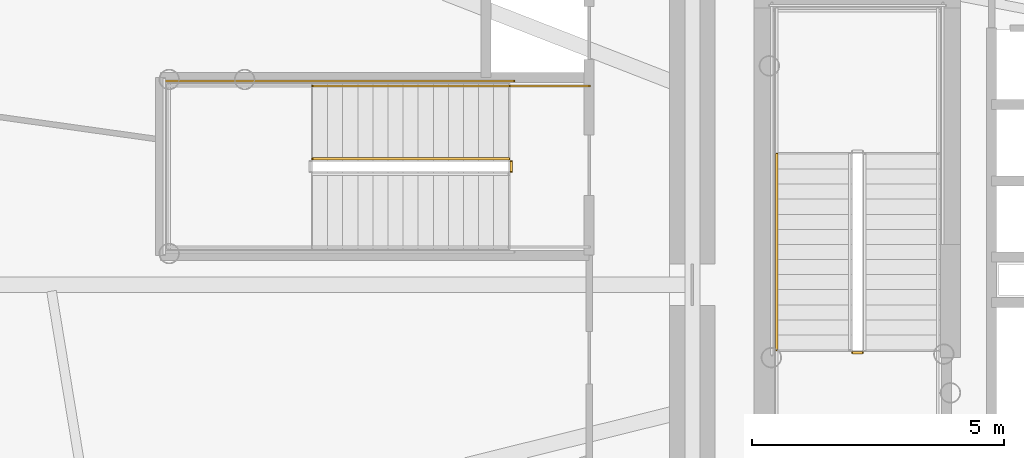
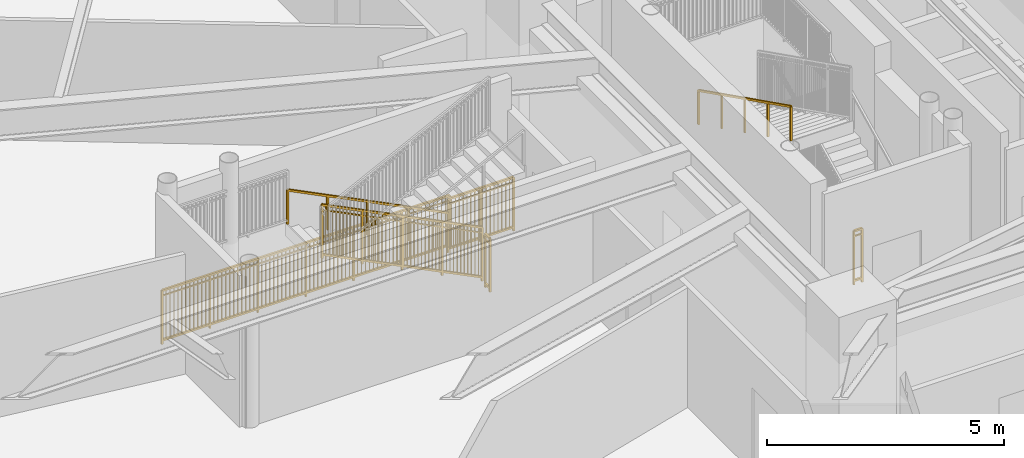
# One storey, part 20 of 27: 7 railings.
"""IFC4 building model written with IfcOpenShell, lengths in metres."""

from ifc_helpers import new_model, si_unit, direction, frame, origin, origin_2d, place, context, subcontext, project, spatial, rectangle, extrude, source, transform, mapped, material, type_object, element, save


model = new_model("IFC4")

# Units and contexts
model_context = context("Model", 3, precision=1e-05, world=origin(), true_north=direction((0.0, 1.0)))
body_context = subcontext(model_context, "Body", "Model", "MODEL_VIEW")
ifc_project = project(units=[si_unit("LENGTHUNIT", "METRE"), si_unit("AREAUNIT", "SQUARE_METRE"), si_unit("VOLUMEUNIT", "CUBIC_METRE"), si_unit("PLANEANGLEUNIT", "RADIAN"), si_unit("MASSUNIT", "GRAM", prefix="KILO")], contexts=[model_context])

# Site, building, storey
site_placement = place(None, origin())
site = spatial("IfcSite", under=ifc_project, at=site_placement, CompositionType="ELEMENT")
building_placement = place(site_placement, origin())
building = spatial("IfcBuilding", under=site, at=building_placement, Name="Linh Dai School and Residence Tower", CompositionType="ELEMENT")
storey_placement = place(building_placement, frame((0.0, 0.0, 14.39990234375)))
storey = spatial("IfcBuildingStorey", under=building, at=storey_placement, Name="L03", CompositionType="ELEMENT", Elevation=14.39990234375)

# Railings
ifc_material_1 = material(Name="Structural Steel S355JR", Category="steel")
railing_type_1 = type_object("IfcRailingType", Name="RL-ST-GUARD-1400", PredefinedType="GUARDRAIL", material=ifc_material_1)
shared_shape_1 = source(origin(), body_context, "Body", "SweptSolid", [
    extrude(rectangle(XDim=0.048095703125, YDim=0.048095703125, at=origin_2d()), frame((0.0, 0.0, 1.3759765625), z_axis=(-1.0, 0.0, 0.0), x_axis=(0.0, -1.0, 0.0)), (0.0, 0.0, 1.0), 0.199951171875),
    extrude(rectangle(XDim=0.048095703125, YDim=0.048095703125, at=origin_2d()), frame((0.0, 0.0, 0.10009765625), z_axis=(-1.0, 0.0, 0.0), x_axis=(0.0, -1.0, 0.0)), (0.0, 0.0, 1.0), 0.199951171875),
    extrude(rectangle(XDim=0.030029296875, YDim=0.030029296875, at=origin_2d()), frame((0.0, 0.0, 1.239990234375), z_axis=(-1.0, 0.0, 0.0), x_axis=(0.0, -1.0, 0.0)), (0.0, 0.0, 1.0), 0.199951171875),
    extrude(rectangle(XDim=0.0419921875, YDim=0.0419921875, at=origin_2d()), origin(), (0.0, 0.0, 1.0), 1.3759765625),
    extrude(rectangle(XDim=0.0419921875, YDim=0.0419921875, at=origin_2d()), frame((-0.199951171875, 0.0, 0.0)), (0.0, 0.0, 1.0), 1.3759765625),
])
railing_1_placement = place(storey_placement, frame((29.429931640625, 25.64990234375, 0.0)))
element("IfcRailing", 1, at=railing_1_placement, inside=storey, type_object=railing_type_1, Name="L03 ST1 stair guard 7", PredefinedType="GUARDRAIL", context=body_context, shape_type="MappedRepresentation", body=[
    mapped(shared_shape_1, transform((0.0, 0.0, 0.0), x_axis=(1.0, 0.0, 0.0), y_axis=(0.0, 1.0, 0.0), z_axis=(0.0, 0.0, 1.0), scale=1.0)),
])
ifc_material_2 = material(Name="Brushed Stainless Steel Handrail", Category="steel")
railing_type_2 = type_object("IfcRailingType", Name="RL-ST-HANDRAIL-900", PredefinedType="HANDRAIL", material=ifc_material_2)
shared_shape_2 = source(origin(), body_context, "Body", "SweptSolid", [
    extrude(rectangle(XDim=0.048095703125, YDim=0.048095703125, at=origin_2d()), frame((0.0, 0.0, 0.8759765625), z_axis=(0.0, -0.894415993023, 0.447235990752), x_axis=(1.0, 0.0, 0.0)), (0.0, 0.0, 1.0), 4.360595703125),
    extrude(rectangle(XDim=0.0419921875, YDim=0.0419921875, at=origin_2d()), origin(), (0.0, 0.0, 1.0), 0.8759765625),
    extrude(rectangle(XDim=0.0419921875, YDim=0.0419921875, at=origin_2d()), frame((0.0, -0.97509765625, 0.487548828125)), (0.0, 0.0, 1.0), 0.8759765625),
    extrude(rectangle(XDim=0.0419921875, YDim=0.0419921875, at=origin_2d()), frame((0.0, -1.9501953125, 0.97509765625)), (0.0, 0.0, 1.0), 0.8759765625),
    extrude(rectangle(XDim=0.0419921875, YDim=0.0419921875, at=origin_2d()), frame((0.0, -2.925048828125, 1.462646484375)), (0.0, 0.0, 1.0), 0.8759765625),
    extrude(rectangle(XDim=0.0419921875, YDim=0.0419921875, at=origin_2d()), frame((0.0, -3.900146484375, 1.9501953125)), (0.0, 0.0, 1.0), 0.8759765625),
])
railing_2_placement = place(storey_placement, frame((27.72998046875, 29.60009765625, 2.25)))
element("IfcRailing", 2, at=railing_2_placement, inside=storey, type_object=railing_type_2, Name="L03 ST1 stair handrail 2", PredefinedType="HANDRAIL", context=body_context, shape_type="MappedRepresentation", body=[
    mapped(shared_shape_2, transform((0.0, 0.0, 0.0), x_axis=(1.0, 0.0, 0.0), y_axis=(0.0, 1.0, 0.0), z_axis=(0.0, 0.0, 1.0), scale=1.0)),
])
shared_shape_3 = source(origin(), body_context, "Body", "SweptSolid", [
    extrude(rectangle(XDim=0.048095703125, YDim=0.048095703125, at=origin_2d()), frame((0.0, 0.0, 1.3759765625), z_axis=(0.0, -1.0, 0.0), x_axis=(1.0, 0.0, 0.0)), (0.0, 0.0, 1.0), 0.199951171875),
    extrude(rectangle(XDim=0.048095703125, YDim=0.048095703125, at=origin_2d()), frame((0.0, 0.0, 0.10009765625), z_axis=(0.0, -1.0, 0.0), x_axis=(1.0, 0.0, 0.0)), (0.0, 0.0, 1.0), 0.199951171875),
    extrude(rectangle(XDim=0.030029296875, YDim=0.030029296875, at=origin_2d()), frame((0.0, 0.0, 1.239990234375), z_axis=(0.0, -1.0, 0.0), x_axis=(1.0, 0.0, 0.0)), (0.0, 0.0, 1.0), 0.199951171875),
    extrude(rectangle(XDim=0.0419921875, YDim=0.0419921875, at=origin_2d()), origin(), (0.0, 0.0, 1.0), 1.3759765625),
    extrude(rectangle(XDim=0.0419921875, YDim=0.0419921875, at=origin_2d()), frame((0.0, -0.199951171875, 0.0)), (0.0, 0.0, 1.0), 1.3759765625),
])
railing_3_placement = place(storey_placement, frame((22.449951171875, 29.449951171875, 0.0)))
element("IfcRailing", 3, at=railing_3_placement, inside=storey, type_object=railing_type_1, Name="L03 STS1 stair guard 7", PredefinedType="GUARDRAIL", context=body_context, shape_type="MappedRepresentation", body=[
    mapped(shared_shape_3, transform((0.0, 0.0, 0.0), x_axis=(1.0, 0.0, 0.0), y_axis=(0.0, 1.0, 0.0), z_axis=(0.0, 0.0, 1.0), scale=1.0)),
])
shared_shape_4 = source(origin(), body_context, "Body", "SweptSolid", [
    extrude(rectangle(XDim=0.048095703125, YDim=0.048095703125, at=origin_2d()), frame((0.0, 0.0, 1.3759765625), z_axis=(-1.0, 0.0, 0.0), x_axis=(0.0, -1.0, 0.0)), (0.0, 0.0, 1.0), 1.60009765625),
    extrude(rectangle(XDim=0.048095703125, YDim=0.048095703125, at=origin_2d()), frame((0.0, 0.0, 0.10009765625), z_axis=(-1.0, 0.0, 0.0), x_axis=(0.0, -1.0, 0.0)), (0.0, 0.0, 1.0), 1.60009765625),
    extrude(rectangle(XDim=0.030029296875, YDim=0.030029296875, at=origin_2d()), frame((0.0, 0.0, 1.239990234375), z_axis=(-1.0, 0.0, 0.0), x_axis=(0.0, -1.0, 0.0)), (0.0, 0.0, 1.0), 1.60009765625),
    extrude(rectangle(XDim=0.02001953125, YDim=0.02001953125, at=origin_2d()), frame((-0.09423828125, 0.0, 0.10009765625)), (0.0, 0.0, 1.0), 1.251708984375),
    extrude(rectangle(XDim=0.02001953125, YDim=0.02001953125, at=origin_2d()), frame((-0.188232421875, 0.0, 0.10009765625)), (0.0, 0.0, 1.0), 1.251708984375),
    extrude(rectangle(XDim=0.02001953125, YDim=0.02001953125, at=origin_2d()), frame((-0.282470703125, 0.0, 0.10009765625)), (0.0, 0.0, 1.0), 1.251708984375),
    extrude(rectangle(XDim=0.02001953125, YDim=0.02001953125, at=origin_2d()), frame((-0.37646484375, 0.0, 0.10009765625)), (0.0, 0.0, 1.0), 1.251708984375),
    extrude(rectangle(XDim=0.02001953125, YDim=0.02001953125, at=origin_2d()), frame((-0.470703125, 0.0, 0.10009765625)), (0.0, 0.0, 1.0), 1.251708984375),
    extrude(rectangle(XDim=0.02001953125, YDim=0.02001953125, at=origin_2d()), frame((-0.564697265625, 0.0, 0.10009765625)), (0.0, 0.0, 1.0), 1.251708984375),
    extrude(rectangle(XDim=0.02001953125, YDim=0.02001953125, at=origin_2d()), frame((-0.658935546875, 0.0, 0.10009765625)), (0.0, 0.0, 1.0), 1.251708984375),
    extrude(rectangle(XDim=0.02001953125, YDim=0.02001953125, at=origin_2d()), frame((-0.7529296875, 0.0, 0.10009765625)), (0.0, 0.0, 1.0), 1.251708984375),
    extrude(rectangle(XDim=0.02001953125, YDim=0.02001953125, at=origin_2d()), frame((-0.84716796875, 0.0, 0.10009765625)), (0.0, 0.0, 1.0), 1.251708984375),
    extrude(rectangle(XDim=0.02001953125, YDim=0.02001953125, at=origin_2d()), frame((-0.941162109375, 0.0, 0.10009765625)), (0.0, 0.0, 1.0), 1.251708984375),
    extrude(rectangle(XDim=0.02001953125, YDim=0.02001953125, at=origin_2d()), frame((-1.035400390625, 0.0, 0.10009765625)), (0.0, 0.0, 1.0), 1.251708984375),
    extrude(rectangle(XDim=0.02001953125, YDim=0.02001953125, at=origin_2d()), frame((-1.12939453125, 0.0, 0.10009765625)), (0.0, 0.0, 1.0), 1.251708984375),
    extrude(rectangle(XDim=0.02001953125, YDim=0.02001953125, at=origin_2d()), frame((-1.2236328125, 0.0, 0.10009765625)), (0.0, 0.0, 1.0), 1.251708984375),
    extrude(rectangle(XDim=0.02001953125, YDim=0.02001953125, at=origin_2d()), frame((-1.317626953125, 0.0, 0.10009765625)), (0.0, 0.0, 1.0), 1.251708984375),
    extrude(rectangle(XDim=0.02001953125, YDim=0.02001953125, at=origin_2d()), frame((-1.411865234375, 0.0, 0.10009765625)), (0.0, 0.0, 1.0), 1.251708984375),
    extrude(rectangle(XDim=0.02001953125, YDim=0.02001953125, at=origin_2d()), frame((-1.505859375, 0.0, 0.10009765625)), (0.0, 0.0, 1.0), 1.251708984375),
    extrude(rectangle(XDim=0.0419921875, YDim=0.0419921875, at=origin_2d()), origin(), (0.0, 0.0, 1.0), 1.3759765625),
    extrude(rectangle(XDim=0.0419921875, YDim=0.0419921875, at=origin_2d()), frame((-0.800048828125, 0.0, 0.0)), (0.0, 0.0, 1.0), 1.3759765625),
    extrude(rectangle(XDim=0.0419921875, YDim=0.0419921875, at=origin_2d()), frame((-1.60009765625, 0.0, 0.0)), (0.0, 0.0, 1.0), 1.3759765625),
])
railing_4_placement = place(storey_placement, frame((24.0, 30.949951171875, 0.0)))
element("IfcRailing", 4, at=railing_4_placement, inside=storey, type_object=railing_type_1, Name="L03 STS1 stair guard 8", PredefinedType="GUARDRAIL", context=body_context, shape_type="MappedRepresentation", body=[
    mapped(shared_shape_4, transform((0.0, 0.0, 0.0), x_axis=(1.0, 0.0, 0.0), y_axis=(0.0, 1.0, 0.0), z_axis=(0.0, 0.0, 1.0), scale=1.0)),
])
shared_shape_5 = source(origin(), body_context, "Body", "SweptSolid", [
    extrude(rectangle(XDim=0.048095703125, YDim=0.048095703125, at=origin_2d()), frame((0.0, 0.0, 1.3759765625), z_axis=(-1.0, 0.0, 0.0), x_axis=(0.0, -1.0, 0.0)), (0.0, 0.0, 1.0), 7.0),
    extrude(rectangle(XDim=0.048095703125, YDim=0.048095703125, at=origin_2d()), frame((0.0, 0.0, 0.10009765625), z_axis=(-1.0, 0.0, 0.0), x_axis=(0.0, -1.0, 0.0)), (0.0, 0.0, 1.0), 7.0),
    extrude(rectangle(XDim=0.030029296875, YDim=0.030029296875, at=origin_2d()), frame((0.0, 0.0, 1.239990234375), z_axis=(-1.0, 0.0, 0.0), x_axis=(0.0, -1.0, 0.0)), (0.0, 0.0, 1.0), 7.0),
    extrude(rectangle(XDim=0.02001953125, YDim=0.02001953125, at=origin_2d()), frame((-0.09716796875, 0.0, 0.10009765625)), (0.0, 0.0, 1.0), 1.251708984375),
    extrude(rectangle(XDim=0.02001953125, YDim=0.02001953125, at=origin_2d()), frame((-0.1943359375, 0.0, 0.10009765625)), (0.0, 0.0, 1.0), 1.251708984375),
    extrude(rectangle(XDim=0.02001953125, YDim=0.02001953125, at=origin_2d()), frame((-0.291748046875, 0.0, 0.10009765625)), (0.0, 0.0, 1.0), 1.251708984375),
    extrude(rectangle(XDim=0.02001953125, YDim=0.02001953125, at=origin_2d()), frame((-0.388916015625, 0.0, 0.10009765625)), (0.0, 0.0, 1.0), 1.251708984375),
    extrude(rectangle(XDim=0.02001953125, YDim=0.02001953125, at=origin_2d()), frame((-0.486083984375, 0.0, 0.10009765625)), (0.0, 0.0, 1.0), 1.251708984375),
    extrude(rectangle(XDim=0.02001953125, YDim=0.02001953125, at=origin_2d()), frame((-0.583251953125, 0.0, 0.10009765625)), (0.0, 0.0, 1.0), 1.251708984375),
    extrude(rectangle(XDim=0.02001953125, YDim=0.02001953125, at=origin_2d()), frame((-0.6806640625, 0.0, 0.10009765625)), (0.0, 0.0, 1.0), 1.251708984375),
    extrude(rectangle(XDim=0.02001953125, YDim=0.02001953125, at=origin_2d()), frame((-0.77783203125, 0.0, 0.10009765625)), (0.0, 0.0, 1.0), 1.251708984375),
    extrude(rectangle(XDim=0.02001953125, YDim=0.02001953125, at=origin_2d()), frame((-0.875, 0.0, 0.10009765625)), (0.0, 0.0, 1.0), 1.251708984375),
    extrude(rectangle(XDim=0.02001953125, YDim=0.02001953125, at=origin_2d()), frame((-0.97216796875, 0.0, 0.10009765625)), (0.0, 0.0, 1.0), 1.251708984375),
    extrude(rectangle(XDim=0.02001953125, YDim=0.02001953125, at=origin_2d()), frame((-1.0693359375, 0.0, 0.10009765625)), (0.0, 0.0, 1.0), 1.251708984375),
    extrude(rectangle(XDim=0.02001953125, YDim=0.02001953125, at=origin_2d()), frame((-1.263916015625, 0.0, 0.10009765625)), (0.0, 0.0, 1.0), 1.251708984375),
    extrude(rectangle(XDim=0.02001953125, YDim=0.02001953125, at=origin_2d()), frame((-1.361083984375, 0.0, 0.10009765625)), (0.0, 0.0, 1.0), 1.251708984375),
    extrude(rectangle(XDim=0.02001953125, YDim=0.02001953125, at=origin_2d()), frame((-1.458251953125, 0.0, 0.10009765625)), (0.0, 0.0, 1.0), 1.251708984375),
    extrude(rectangle(XDim=0.02001953125, YDim=0.02001953125, at=origin_2d()), frame((-1.5556640625, 0.0, 0.10009765625)), (0.0, 0.0, 1.0), 1.251708984375),
    extrude(rectangle(XDim=0.02001953125, YDim=0.02001953125, at=origin_2d()), frame((-1.65283203125, 0.0, 0.10009765625)), (0.0, 0.0, 1.0), 1.251708984375),
    extrude(rectangle(XDim=0.02001953125, YDim=0.02001953125, at=origin_2d()), frame((-1.75, 0.0, 0.10009765625)), (0.0, 0.0, 1.0), 1.251708984375),
    extrude(rectangle(XDim=0.02001953125, YDim=0.02001953125, at=origin_2d()), frame((-1.84716796875, 0.0, 0.10009765625)), (0.0, 0.0, 1.0), 1.251708984375),
    extrude(rectangle(XDim=0.02001953125, YDim=0.02001953125, at=origin_2d()), frame((-1.9443359375, 0.0, 0.10009765625)), (0.0, 0.0, 1.0), 1.251708984375),
    extrude(rectangle(XDim=0.02001953125, YDim=0.02001953125, at=origin_2d()), frame((-2.041748046875, 0.0, 0.10009765625)), (0.0, 0.0, 1.0), 1.251708984375),
    extrude(rectangle(XDim=0.02001953125, YDim=0.02001953125, at=origin_2d()), frame((-2.138916015625, 0.0, 0.10009765625)), (0.0, 0.0, 1.0), 1.251708984375),
    extrude(rectangle(XDim=0.02001953125, YDim=0.02001953125, at=origin_2d()), frame((-2.236083984375, 0.0, 0.10009765625)), (0.0, 0.0, 1.0), 1.251708984375),
    extrude(rectangle(XDim=0.02001953125, YDim=0.02001953125, at=origin_2d()), frame((-2.4306640625, 0.0, 0.10009765625)), (0.0, 0.0, 1.0), 1.251708984375),
    extrude(rectangle(XDim=0.02001953125, YDim=0.02001953125, at=origin_2d()), frame((-2.52783203125, 0.0, 0.10009765625)), (0.0, 0.0, 1.0), 1.251708984375),
    extrude(rectangle(XDim=0.02001953125, YDim=0.02001953125, at=origin_2d()), frame((-2.625, 0.0, 0.10009765625)), (0.0, 0.0, 1.0), 1.251708984375),
    extrude(rectangle(XDim=0.02001953125, YDim=0.02001953125, at=origin_2d()), frame((-2.72216796875, 0.0, 0.10009765625)), (0.0, 0.0, 1.0), 1.251708984375),
    extrude(rectangle(XDim=0.02001953125, YDim=0.02001953125, at=origin_2d()), frame((-2.8193359375, 0.0, 0.10009765625)), (0.0, 0.0, 1.0), 1.251708984375),
    extrude(rectangle(XDim=0.02001953125, YDim=0.02001953125, at=origin_2d()), frame((-2.916748046875, 0.0, 0.10009765625)), (0.0, 0.0, 1.0), 1.251708984375),
    extrude(rectangle(XDim=0.02001953125, YDim=0.02001953125, at=origin_2d()), frame((-3.013916015625, 0.0, 0.10009765625)), (0.0, 0.0, 1.0), 1.251708984375),
    extrude(rectangle(XDim=0.02001953125, YDim=0.02001953125, at=origin_2d()), frame((-3.111083984375, 0.0, 0.10009765625)), (0.0, 0.0, 1.0), 1.251708984375),
    extrude(rectangle(XDim=0.02001953125, YDim=0.02001953125, at=origin_2d()), frame((-3.208251953125, 0.0, 0.10009765625)), (0.0, 0.0, 1.0), 1.251708984375),
    extrude(rectangle(XDim=0.02001953125, YDim=0.02001953125, at=origin_2d()), frame((-3.3056640625, 0.0, 0.10009765625)), (0.0, 0.0, 1.0), 1.251708984375),
    extrude(rectangle(XDim=0.02001953125, YDim=0.02001953125, at=origin_2d()), frame((-3.40283203125, 0.0, 0.10009765625)), (0.0, 0.0, 1.0), 1.251708984375),
    extrude(rectangle(XDim=0.02001953125, YDim=0.02001953125, at=origin_2d()), frame((-3.59716796875, 0.0, 0.10009765625)), (0.0, 0.0, 1.0), 1.251708984375),
    extrude(rectangle(XDim=0.02001953125, YDim=0.02001953125, at=origin_2d()), frame((-3.6943359375, 0.0, 0.10009765625)), (0.0, 0.0, 1.0), 1.251708984375),
    extrude(rectangle(XDim=0.02001953125, YDim=0.02001953125, at=origin_2d()), frame((-3.791748046875, 0.0, 0.10009765625)), (0.0, 0.0, 1.0), 1.251708984375),
    extrude(rectangle(XDim=0.02001953125, YDim=0.02001953125, at=origin_2d()), frame((-3.888916015625, 0.0, 0.10009765625)), (0.0, 0.0, 1.0), 1.251708984375),
    extrude(rectangle(XDim=0.02001953125, YDim=0.02001953125, at=origin_2d()), frame((-3.986083984375, 0.0, 0.10009765625)), (0.0, 0.0, 1.0), 1.251708984375),
    extrude(rectangle(XDim=0.02001953125, YDim=0.02001953125, at=origin_2d()), frame((-4.083251953125, 0.0, 0.10009765625)), (0.0, 0.0, 1.0), 1.251708984375),
    extrude(rectangle(XDim=0.02001953125, YDim=0.02001953125, at=origin_2d()), frame((-4.1806640625, 0.0, 0.10009765625)), (0.0, 0.0, 1.0), 1.251708984375),
    extrude(rectangle(XDim=0.02001953125, YDim=0.02001953125, at=origin_2d()), frame((-4.27783203125, 0.0, 0.10009765625)), (0.0, 0.0, 1.0), 1.251708984375),
    extrude(rectangle(XDim=0.02001953125, YDim=0.02001953125, at=origin_2d()), frame((-4.375, 0.0, 0.10009765625)), (0.0, 0.0, 1.0), 1.251708984375),
    extrude(rectangle(XDim=0.02001953125, YDim=0.02001953125, at=origin_2d()), frame((-4.47216796875, 0.0, 0.10009765625)), (0.0, 0.0, 1.0), 1.251708984375),
    extrude(rectangle(XDim=0.02001953125, YDim=0.02001953125, at=origin_2d()), frame((-4.5693359375, 0.0, 0.10009765625)), (0.0, 0.0, 1.0), 1.251708984375),
    extrude(rectangle(XDim=0.02001953125, YDim=0.02001953125, at=origin_2d()), frame((-4.763916015625, 0.0, 0.10009765625)), (0.0, 0.0, 1.0), 1.251708984375),
    extrude(rectangle(XDim=0.02001953125, YDim=0.02001953125, at=origin_2d()), frame((-4.861083984375, 0.0, 0.10009765625)), (0.0, 0.0, 1.0), 1.251708984375),
    extrude(rectangle(XDim=0.02001953125, YDim=0.02001953125, at=origin_2d()), frame((-4.958251953125, 0.0, 0.10009765625)), (0.0, 0.0, 1.0), 1.251708984375),
    extrude(rectangle(XDim=0.02001953125, YDim=0.02001953125, at=origin_2d()), frame((-5.0556640625, 0.0, 0.10009765625)), (0.0, 0.0, 1.0), 1.251708984375),
    extrude(rectangle(XDim=0.02001953125, YDim=0.02001953125, at=origin_2d()), frame((-5.15283203125, 0.0, 0.10009765625)), (0.0, 0.0, 1.0), 1.251708984375),
    extrude(rectangle(XDim=0.02001953125, YDim=0.02001953125, at=origin_2d()), frame((-5.25, 0.0, 0.10009765625)), (0.0, 0.0, 1.0), 1.251708984375),
    extrude(rectangle(XDim=0.02001953125, YDim=0.02001953125, at=origin_2d()), frame((-5.34716796875, 0.0, 0.10009765625)), (0.0, 0.0, 1.0), 1.251708984375),
    extrude(rectangle(XDim=0.02001953125, YDim=0.02001953125, at=origin_2d()), frame((-5.4443359375, 0.0, 0.10009765625)), (0.0, 0.0, 1.0), 1.251708984375),
    extrude(rectangle(XDim=0.02001953125, YDim=0.02001953125, at=origin_2d()), frame((-5.541748046875, 0.0, 0.10009765625)), (0.0, 0.0, 1.0), 1.251708984375),
    extrude(rectangle(XDim=0.02001953125, YDim=0.02001953125, at=origin_2d()), frame((-5.638916015625, 0.0, 0.10009765625)), (0.0, 0.0, 1.0), 1.251708984375),
    extrude(rectangle(XDim=0.02001953125, YDim=0.02001953125, at=origin_2d()), frame((-5.736083984375, 0.0, 0.10009765625)), (0.0, 0.0, 1.0), 1.251708984375),
    extrude(rectangle(XDim=0.02001953125, YDim=0.02001953125, at=origin_2d()), frame((-5.9306640625, 0.0, 0.10009765625)), (0.0, 0.0, 1.0), 1.251708984375),
    extrude(rectangle(XDim=0.02001953125, YDim=0.02001953125, at=origin_2d()), frame((-6.02783203125, 0.0, 0.10009765625)), (0.0, 0.0, 1.0), 1.251708984375),
    extrude(rectangle(XDim=0.02001953125, YDim=0.02001953125, at=origin_2d()), frame((-6.125, 0.0, 0.10009765625)), (0.0, 0.0, 1.0), 1.251708984375),
    extrude(rectangle(XDim=0.02001953125, YDim=0.02001953125, at=origin_2d()), frame((-6.22216796875, 0.0, 0.10009765625)), (0.0, 0.0, 1.0), 1.251708984375),
    extrude(rectangle(XDim=0.02001953125, YDim=0.02001953125, at=origin_2d()), frame((-6.3193359375, 0.0, 0.10009765625)), (0.0, 0.0, 1.0), 1.251708984375),
    extrude(rectangle(XDim=0.02001953125, YDim=0.02001953125, at=origin_2d()), frame((-6.416748046875, 0.0, 0.10009765625)), (0.0, 0.0, 1.0), 1.251708984375),
    extrude(rectangle(XDim=0.02001953125, YDim=0.02001953125, at=origin_2d()), frame((-6.513916015625, 0.0, 0.10009765625)), (0.0, 0.0, 1.0), 1.251708984375),
    extrude(rectangle(XDim=0.02001953125, YDim=0.02001953125, at=origin_2d()), frame((-6.611083984375, 0.0, 0.10009765625)), (0.0, 0.0, 1.0), 1.251708984375),
    extrude(rectangle(XDim=0.02001953125, YDim=0.02001953125, at=origin_2d()), frame((-6.708251953125, 0.0, 0.10009765625)), (0.0, 0.0, 1.0), 1.251708984375),
    extrude(rectangle(XDim=0.02001953125, YDim=0.02001953125, at=origin_2d()), frame((-6.8056640625, 0.0, 0.10009765625)), (0.0, 0.0, 1.0), 1.251708984375),
    extrude(rectangle(XDim=0.02001953125, YDim=0.02001953125, at=origin_2d()), frame((-6.90283203125, 0.0, 0.10009765625)), (0.0, 0.0, 1.0), 1.251708984375),
    extrude(rectangle(XDim=0.0419921875, YDim=0.0419921875, at=origin_2d()), origin(), (0.0, 0.0, 1.0), 1.3759765625),
    extrude(rectangle(XDim=0.0419921875, YDim=0.0419921875, at=origin_2d()), frame((-1.166748046875, 0.0, 0.0)), (0.0, 0.0, 1.0), 1.3759765625),
    extrude(rectangle(XDim=0.0419921875, YDim=0.0419921875, at=origin_2d()), frame((-2.333251953125, 0.0, 0.0)), (0.0, 0.0, 1.0), 1.3759765625),
    extrude(rectangle(XDim=0.0419921875, YDim=0.0419921875, at=origin_2d()), frame((-3.5, 0.0, 0.0)), (0.0, 0.0, 1.0), 1.3759765625),
    extrude(rectangle(XDim=0.0419921875, YDim=0.0419921875, at=origin_2d()), frame((-4.666748046875, 0.0, 0.0)), (0.0, 0.0, 1.0), 1.3759765625),
    extrude(rectangle(XDim=0.0419921875, YDim=0.0419921875, at=origin_2d()), frame((-5.833251953125, 0.0, 0.0)), (0.0, 0.0, 1.0), 1.3759765625),
    extrude(rectangle(XDim=0.0419921875, YDim=0.0419921875, at=origin_2d()), frame((-7.0, 0.0, 0.0)), (0.0, 0.0, 1.0), 1.3759765625),
])
railing_5_placement = place(storey_placement, frame((22.5, 31.050048828125, 0.0)))
element("IfcRailing", 5, at=railing_5_placement, inside=storey, type_object=railing_type_1, Name="L03 STS1 stair guard 10", PredefinedType="GUARDRAIL", context=body_context, shape_type="MappedRepresentation", body=[
    mapped(shared_shape_5, transform((0.0, 0.0, 0.0), x_axis=(1.0, 0.0, 0.0), y_axis=(0.0, 1.0, 0.0), z_axis=(0.0, 0.0, 1.0), scale=1.0)),
])
shared_shape_6 = source(origin(), body_context, "Body", "SweptSolid", [
    extrude(rectangle(XDim=0.048095703125, YDim=0.048095703125, at=origin_2d()), frame((0.0, 0.0, 1.3759765625), z_axis=(-0.894427191, 0.0, 0.4472135955), x_axis=(0.0, -1.0, 0.0)), (0.0, 0.0, 1.0), 4.360107421875),
    extrude(rectangle(XDim=0.048095703125, YDim=0.048095703125, at=origin_2d()), frame((0.0, 0.0, 0.10009765625), z_axis=(-0.894427191, 0.0, 0.4472135955), x_axis=(0.0, -1.0, 0.0)), (0.0, 0.0, 1.0), 4.360107421875),
    extrude(rectangle(XDim=0.030029296875, YDim=0.030029296875, at=origin_2d()), frame((0.0, 0.0, 1.239990234375), z_axis=(-0.894427191, 0.0, 0.4472135955), x_axis=(0.0, -1.0, 0.0)), (0.0, 0.0, 1.0), 4.360107421875),
    extrude(rectangle(XDim=0.02001953125, YDim=0.02001953125, at=origin_2d()), frame((-0.086669921875, 0.0, 0.143310546875)), (0.0, 0.0, 1.0), 1.251708984375),
    extrude(rectangle(XDim=0.02001953125, YDim=0.02001953125, at=origin_2d()), frame((-0.17333984375, 0.0, 0.186767578125)), (0.0, 0.0, 1.0), 1.251708984375),
    extrude(rectangle(XDim=0.02001953125, YDim=0.02001953125, at=origin_2d()), frame((-0.260009765625, 0.0, 0.22998046875)), (0.0, 0.0, 1.0), 1.251708984375),
    extrude(rectangle(XDim=0.02001953125, YDim=0.02001953125, at=origin_2d()), frame((-0.3466796875, 0.0, 0.2734375)), (0.0, 0.0, 1.0), 1.251708984375),
    extrude(rectangle(XDim=0.02001953125, YDim=0.02001953125, at=origin_2d()), frame((-0.433349609375, 0.0, 0.316650390625)), (0.0, 0.0, 1.0), 1.251708984375),
    extrude(rectangle(XDim=0.02001953125, YDim=0.02001953125, at=origin_2d()), frame((-0.52001953125, 0.0, 0.360107421875)), (0.0, 0.0, 1.0), 1.251708984375),
    extrude(rectangle(XDim=0.02001953125, YDim=0.02001953125, at=origin_2d()), frame((-0.606689453125, 0.0, 0.4033203125)), (0.0, 0.0, 1.0), 1.251708984375),
    extrude(rectangle(XDim=0.02001953125, YDim=0.02001953125, at=origin_2d()), frame((-0.693359375, 0.0, 0.44677734375)), (0.0, 0.0, 1.0), 1.251708984375),
    extrude(rectangle(XDim=0.02001953125, YDim=0.02001953125, at=origin_2d()), frame((-0.780029296875, 0.0, 0.489990234375)), (0.0, 0.0, 1.0), 1.251708984375),
    extrude(rectangle(XDim=0.02001953125, YDim=0.02001953125, at=origin_2d()), frame((-0.86669921875, 0.0, 0.533447265625)), (0.0, 0.0, 1.0), 1.251708984375),
    extrude(rectangle(XDim=0.02001953125, YDim=0.02001953125, at=origin_2d()), frame((-1.0400390625, 0.0, 0.6201171875)), (0.0, 0.0, 1.0), 1.251708984375),
    extrude(rectangle(XDim=0.02001953125, YDim=0.02001953125, at=origin_2d()), frame((-1.126708984375, 0.0, 0.663330078125)), (0.0, 0.0, 1.0), 1.251708984375),
    extrude(rectangle(XDim=0.02001953125, YDim=0.02001953125, at=origin_2d()), frame((-1.21337890625, 0.0, 0.706787109375)), (0.0, 0.0, 1.0), 1.251708984375),
    extrude(rectangle(XDim=0.02001953125, YDim=0.02001953125, at=origin_2d()), frame((-1.300048828125, 0.0, 0.75)), (0.0, 0.0, 1.0), 1.251708984375),
    extrude(rectangle(XDim=0.02001953125, YDim=0.02001953125, at=origin_2d()), frame((-1.38671875, 0.0, 0.79345703125)), (0.0, 0.0, 1.0), 1.251708984375),
    extrude(rectangle(XDim=0.02001953125, YDim=0.02001953125, at=origin_2d()), frame((-1.473388671875, 0.0, 0.836669921875)), (0.0, 0.0, 1.0), 1.251708984375),
    extrude(rectangle(XDim=0.02001953125, YDim=0.02001953125, at=origin_2d()), frame((-1.56005859375, 0.0, 0.880126953125)), (0.0, 0.0, 1.0), 1.251708984375),
    extrude(rectangle(XDim=0.02001953125, YDim=0.02001953125, at=origin_2d()), frame((-1.646728515625, 0.0, 0.92333984375)), (0.0, 0.0, 1.0), 1.251708984375),
    extrude(rectangle(XDim=0.02001953125, YDim=0.02001953125, at=origin_2d()), frame((-1.7333984375, 0.0, 0.966796875)), (0.0, 0.0, 1.0), 1.251708984375),
    extrude(rectangle(XDim=0.02001953125, YDim=0.02001953125, at=origin_2d()), frame((-1.820068359375, 0.0, 1.010009765625)), (0.0, 0.0, 1.0), 1.251708984375),
    extrude(rectangle(XDim=0.02001953125, YDim=0.02001953125, at=origin_2d()), frame((-1.90673828125, 0.0, 1.053466796875)), (0.0, 0.0, 1.0), 1.251708984375),
    extrude(rectangle(XDim=0.02001953125, YDim=0.02001953125, at=origin_2d()), frame((-1.9931640625, 0.0, 1.0966796875)), (0.0, 0.0, 1.0), 1.251708984375),
    extrude(rectangle(XDim=0.02001953125, YDim=0.02001953125, at=origin_2d()), frame((-2.079833984375, 0.0, 1.14013671875)), (0.0, 0.0, 1.0), 1.251708984375),
    extrude(rectangle(XDim=0.02001953125, YDim=0.02001953125, at=origin_2d()), frame((-2.16650390625, 0.0, 1.183349609375)), (0.0, 0.0, 1.0), 1.251708984375),
    extrude(rectangle(XDim=0.02001953125, YDim=0.02001953125, at=origin_2d()), frame((-2.253173828125, 0.0, 1.226806640625)), (0.0, 0.0, 1.0), 1.251708984375),
    extrude(rectangle(XDim=0.02001953125, YDim=0.02001953125, at=origin_2d()), frame((-2.33984375, 0.0, 1.27001953125)), (0.0, 0.0, 1.0), 1.251708984375),
    extrude(rectangle(XDim=0.02001953125, YDim=0.02001953125, at=origin_2d()), frame((-2.426513671875, 0.0, 1.3134765625)), (0.0, 0.0, 1.0), 1.251708984375),
    extrude(rectangle(XDim=0.02001953125, YDim=0.02001953125, at=origin_2d()), frame((-2.51318359375, 0.0, 1.356689453125)), (0.0, 0.0, 1.0), 1.251708984375),
    extrude(rectangle(XDim=0.02001953125, YDim=0.02001953125, at=origin_2d()), frame((-2.599853515625, 0.0, 1.400146484375)), (0.0, 0.0, 1.0), 1.251708984375),
    extrude(rectangle(XDim=0.02001953125, YDim=0.02001953125, at=origin_2d()), frame((-2.6865234375, 0.0, 1.443359375)), (0.0, 0.0, 1.0), 1.251708984375),
    extrude(rectangle(XDim=0.02001953125, YDim=0.02001953125, at=origin_2d()), frame((-2.773193359375, 0.0, 1.48681640625)), (0.0, 0.0, 1.0), 1.251708984375),
    extrude(rectangle(XDim=0.02001953125, YDim=0.02001953125, at=origin_2d()), frame((-2.85986328125, 0.0, 1.530029296875)), (0.0, 0.0, 1.0), 1.251708984375),
    extrude(rectangle(XDim=0.02001953125, YDim=0.02001953125, at=origin_2d()), frame((-3.033203125, 0.0, 1.61669921875)), (0.0, 0.0, 1.0), 1.251708984375),
    extrude(rectangle(XDim=0.02001953125, YDim=0.02001953125, at=origin_2d()), frame((-3.119873046875, 0.0, 1.66015625)), (0.0, 0.0, 1.0), 1.251708984375),
    extrude(rectangle(XDim=0.02001953125, YDim=0.02001953125, at=origin_2d()), frame((-3.20654296875, 0.0, 1.703369140625)), (0.0, 0.0, 1.0), 1.251708984375),
    extrude(rectangle(XDim=0.02001953125, YDim=0.02001953125, at=origin_2d()), frame((-3.293212890625, 0.0, 1.746826171875)), (0.0, 0.0, 1.0), 1.251708984375),
    extrude(rectangle(XDim=0.02001953125, YDim=0.02001953125, at=origin_2d()), frame((-3.3798828125, 0.0, 1.7900390625)), (0.0, 0.0, 1.0), 1.251708984375),
    extrude(rectangle(XDim=0.02001953125, YDim=0.02001953125, at=origin_2d()), frame((-3.466552734375, 0.0, 1.83349609375)), (0.0, 0.0, 1.0), 1.251708984375),
    extrude(rectangle(XDim=0.02001953125, YDim=0.02001953125, at=origin_2d()), frame((-3.55322265625, 0.0, 1.876708984375)), (0.0, 0.0, 1.0), 1.251708984375),
    extrude(rectangle(XDim=0.02001953125, YDim=0.02001953125, at=origin_2d()), frame((-3.639892578125, 0.0, 1.920166015625)), (0.0, 0.0, 1.0), 1.251708984375),
    extrude(rectangle(XDim=0.02001953125, YDim=0.02001953125, at=origin_2d()), frame((-3.7265625, 0.0, 1.96337890625)), (0.0, 0.0, 1.0), 1.251708984375),
    extrude(rectangle(XDim=0.02001953125, YDim=0.02001953125, at=origin_2d()), frame((-3.813232421875, 0.0, 2.0068359375)), (0.0, 0.0, 1.0), 1.251708984375),
    extrude(rectangle(XDim=0.0419921875, YDim=0.0419921875, at=origin_2d()), origin(), (0.0, 0.0, 1.0), 1.3759765625),
    extrude(rectangle(XDim=0.0419921875, YDim=0.0419921875, at=origin_2d()), frame((-0.97509765625, 0.0, 0.487548828125)), (0.0, 0.0, 1.0), 1.3759765625),
    extrude(rectangle(XDim=0.0419921875, YDim=0.0419921875, at=origin_2d()), frame((-1.949951171875, 0.0, 0.97509765625)), (0.0, 0.0, 1.0), 1.3759765625),
    extrude(rectangle(XDim=0.0419921875, YDim=0.0419921875, at=origin_2d()), frame((-2.9248046875, 0.0, 1.46240234375)), (0.0, 0.0, 1.0), 1.3759765625),
    extrude(rectangle(XDim=0.0419921875, YDim=0.0419921875, at=origin_2d()), frame((-3.89990234375, 0.0, 1.949951171875)), (0.0, 0.0, 1.0), 1.3759765625),
])
railing_6_placement = place(storey_placement, frame((22.39990234375, 29.5, 0.150146484375)))
element("IfcRailing", 6, at=railing_6_placement, inside=storey, type_object=railing_type_1, Name="L03 STS1 stair guard 1", PredefinedType="GUARDRAIL", context=body_context, shape_type="MappedRepresentation", body=[
    mapped(shared_shape_6, transform((0.0, 0.0, 0.0), x_axis=(1.0, 0.0, 0.0), y_axis=(0.0, 1.0, 0.0), z_axis=(0.0, 0.0, 1.0), scale=1.0)),
])
shared_shape_7 = source(origin(), body_context, "Body", "SweptSolid", [
    extrude(rectangle(XDim=0.048095703125, YDim=0.048095703125, at=origin_2d()), frame((0.0, 0.0, 0.8759765625), z_axis=(-0.894427191, 0.0, 0.4472135955), x_axis=(0.0, -1.0, 0.0)), (0.0, 0.0, 1.0), 4.360107421875),
    extrude(rectangle(XDim=0.0419921875, YDim=0.0419921875, at=origin_2d()), origin(), (0.0, 0.0, 1.0), 0.8759765625),
    extrude(rectangle(XDim=0.0419921875, YDim=0.0419921875, at=origin_2d()), frame((-0.97509765625, 0.0, 0.487548828125)), (0.0, 0.0, 1.0), 0.8759765625),
    extrude(rectangle(XDim=0.0419921875, YDim=0.0419921875, at=origin_2d()), frame((-1.949951171875, 0.0, 0.97509765625)), (0.0, 0.0, 1.0), 0.8759765625),
    extrude(rectangle(XDim=0.0419921875, YDim=0.0419921875, at=origin_2d()), frame((-2.9248046875, 0.0, 1.46240234375)), (0.0, 0.0, 1.0), 0.8759765625),
    extrude(rectangle(XDim=0.0419921875, YDim=0.0419921875, at=origin_2d()), frame((-3.89990234375, 0.0, 1.949951171875)), (0.0, 0.0, 1.0), 0.8759765625),
])
railing_7_placement = place(storey_placement, frame((22.39990234375, 30.949951171875, 0.150146484375)))
element("IfcRailing", 7, at=railing_7_placement, inside=storey, type_object=railing_type_2, Name="L03 STS1 stair handrail 1", PredefinedType="HANDRAIL", context=body_context, shape_type="MappedRepresentation", body=[
    mapped(shared_shape_7, transform((0.0, 0.0, 0.0), x_axis=(1.0, 0.0, 0.0), y_axis=(0.0, 1.0, 0.0), z_axis=(0.0, 0.0, 1.0), scale=1.0)),
])

save(model, "model.ifc")
